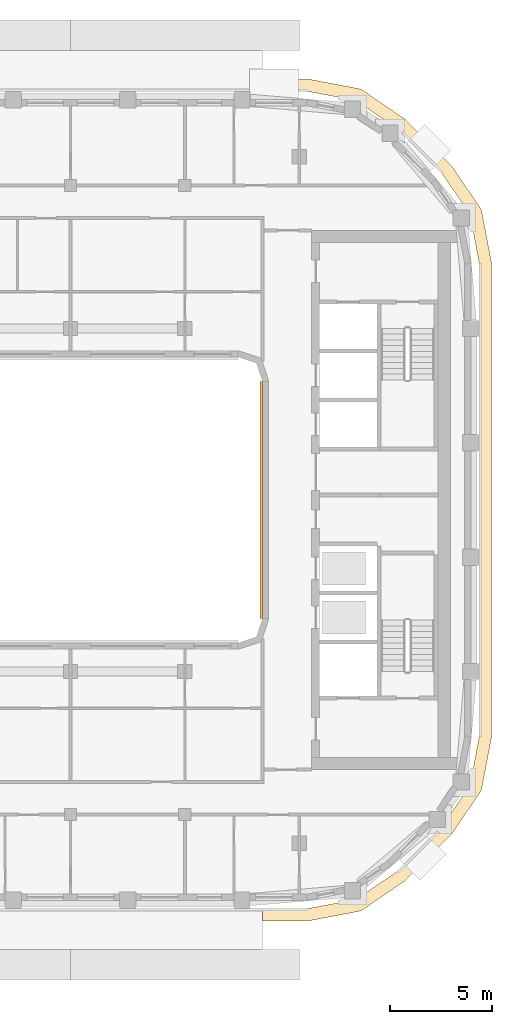
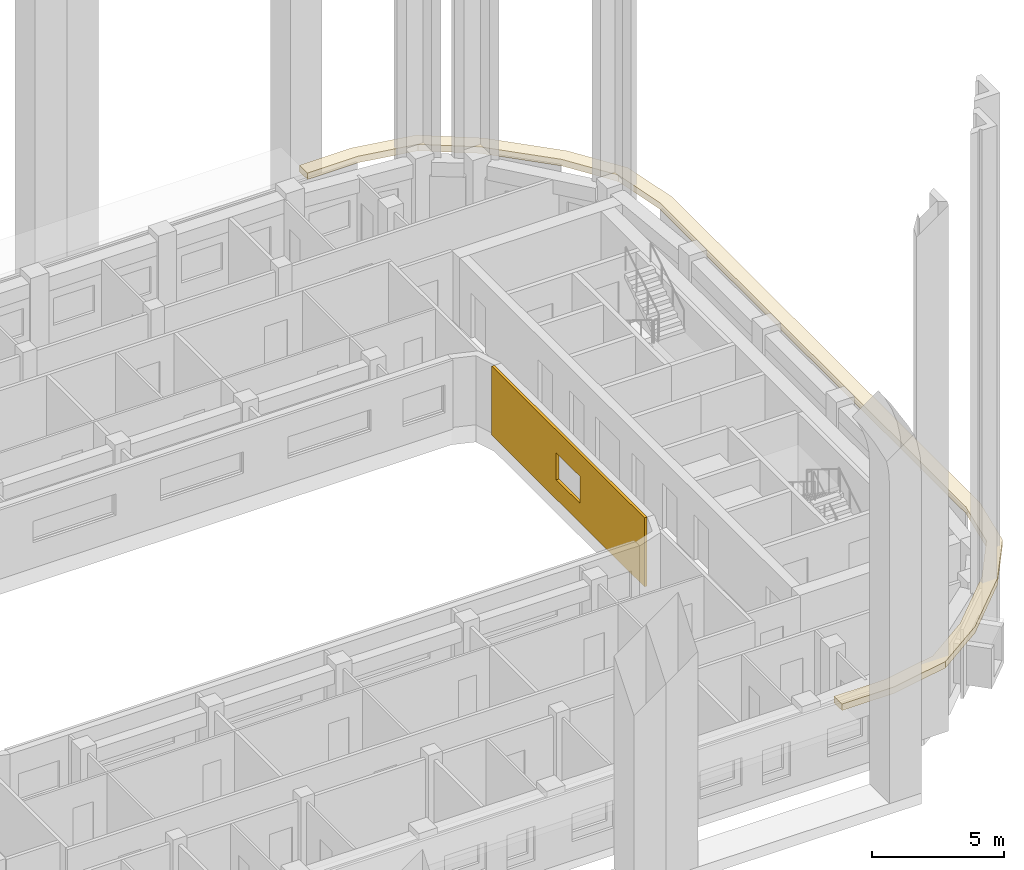
# One storey, part 16 of 19: 2 coverings.
"""IFC4 building model written with IfcOpenShell, lengths in metres."""

from ifc_helpers import new_model, si_unit, direction, frame, origin, place, context, subcontext, project, spatial, polyline, outline, extrude, material, layer, layer_set, type_object, element, save


model = new_model("IFC4")

# Units and contexts
model_context = context("Model", 3, precision=1e-05, world=origin(), true_north=direction((0.0, 1.0)))
body_context = subcontext(model_context, "Body", "Model", "MODEL_VIEW")
ifc_project = project(units=[si_unit("LENGTHUNIT", "METRE"), si_unit("AREAUNIT", "SQUARE_METRE"), si_unit("VOLUMEUNIT", "CUBIC_METRE"), si_unit("PLANEANGLEUNIT", "RADIAN"), si_unit("MASSUNIT", "GRAM", prefix="KILO")], contexts=[model_context])

# Site, building, storey
site_placement = place(None, origin())
site = spatial("IfcSite", under=ifc_project, at=site_placement, CompositionType="ELEMENT")
building_placement = place(site_placement, origin())
building = spatial("IfcBuilding", under=site, at=building_placement, Name="Kiln Ring Residences", CompositionType="ELEMENT")
storey_placement = place(building_placement, frame((0.0, 0.0, 241.699951171875)))
storey = spatial("IfcBuildingStorey", under=building, at=storey_placement, Name="L62", CompositionType="ELEMENT", Elevation=241.699951171875)

# Coverings
ifc_material_1 = material(Name="Brick masonry, dark clay brick", Category="masonry")
ifc_layer_1 = layer(ifc_material_1, 0.1201171875)
ifc_layer_set_1 = layer_set([ifc_layer_1], Name="RAINSCREEN PANEL 120")
covering_type_1 = type_object("IfcCoveringType", Name="RAINSCREEN PANEL 120", PredefinedType="CLADDING", material=ifc_layer_set_1)
covering_1_placement = place(storey_placement, frame((14.93994140625, 5.800048828125, 0.0), z_axis=(0.0, 0.0, 1.0), x_axis=(0.0, -1.0, 0.0)))
element("IfcCovering", 1, at=covering_1_placement, inside=storey, type_object=covering_type_1, Name="RAINSCREEN L62", PredefinedType="CLADDING", context=body_context, shape_type="SweptSolid", body=[
    extrude(outline(polyline([(0.0, 0.0), (11.60009765625, 0.0), (11.60009765625, 3.199951171875), (0.0, 3.199951171875), (0.0, 0.0)]), holes=[polyline([(4.89990234375, 2.150146484375), (4.89990234375, 0.900146484375), (6.699951171875, 0.900146484375), (6.699951171875, 2.150146484375), (4.89990234375, 2.150146484375)])]), frame((0.0, 0.06005859375, 0.0), z_axis=(0.0, -1.0, 0.0), x_axis=(1.0, 0.0, 0.0)), (0.0, 0.0, 1.0), 0.1201171875),
])
ifc_material_2 = material(Name="Black powder-coated steel", Category="steel")
ifc_layer_2 = layer(ifc_material_2, 0.300048828125)
ifc_layer_set_2 = layer_set([ifc_layer_2], Name="SUNSHADE FIN 600")
covering_type_2 = type_object("IfcCoveringType", Name="SUNSHADE FIN 600", PredefinedType="CLADDING", material=ifc_layer_set_2)
covering_2_placement = place(storey_placement, frame((0.0, 0.0, 3.199951171875)))
element("IfcCovering", 2, at=covering_2_placement, inside=storey, type_object=covering_type_2, Name="SUNSHADE FIN L62", PredefinedType="CLADDING", context=body_context, shape_type="SweptSolid", body=[
    extrude(outline(polyline([(17.29443359375, 20.60009765625), (15.0, 20.60009765625), (15.0, 20.0), (17.23779296875, 20.0), (19.58056640625, 19.552978515625), (21.55322265625, 18.21240234375), (23.8125, 15.953125), (25.153076171875, 13.980712890625), (25.60009765625, 11.6376953125), (25.60009765625, -11.6376953125), (25.153076171875, -13.980712890625), (23.8125, -15.953125), (21.55322265625, -18.21240234375), (19.58056640625, -19.552978515625), (17.23779296875, -20.0), (15.0, -20.0), (15.0, -20.60009765625), (17.29443359375, -20.60009765625), (19.815185546875, -20.119140625), (21.937255859375, -18.677001953125), (24.27685546875, -16.33740234375), (25.71923828125, -14.215087890625), (26.199951171875, -11.694580078125), (26.199951171875, 11.694580078125), (25.71923828125, 14.215087890625), (24.27685546875, 16.33740234375), (21.937255859375, 18.677001953125), (19.815185546875, 20.119140625), (17.29443359375, 20.60009765625)])), origin(), (0.0, 0.0, 1.0), 0.300048828125),
])

save(model, "model.ifc")
